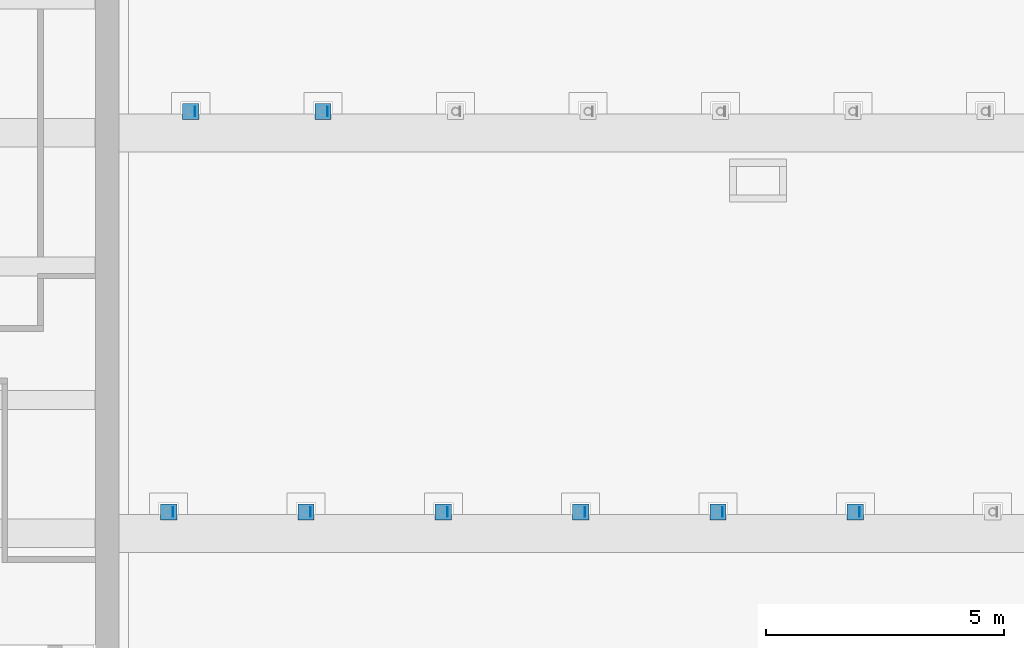
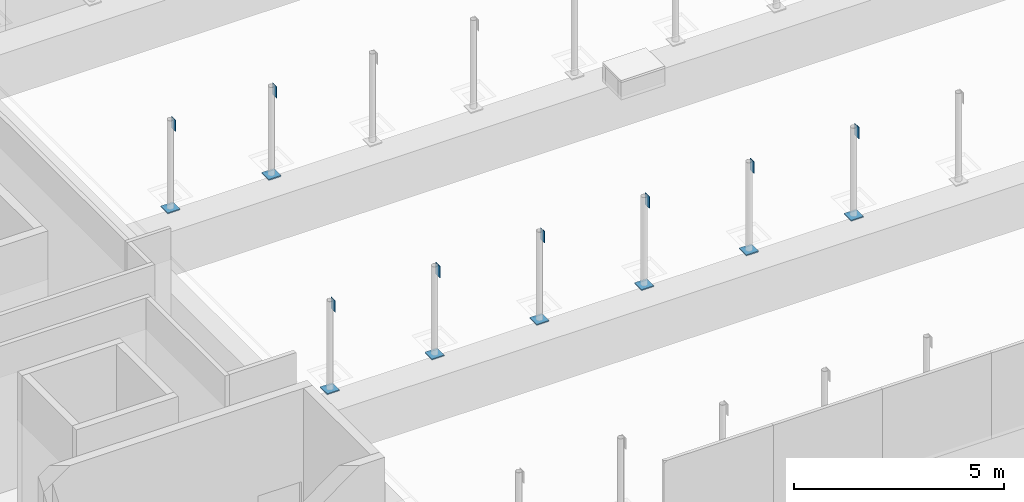
# One storey, part 36 of 47: 16 discrete accessories.
"""IFC4 building model written with IfcOpenShell, lengths in metres."""

from ifc_helpers import new_model, si_unit, direction, frame, origin, origin_2d, place, context, subcontext, project, spatial, rectangle, extrude, material, layer, layer_set, material_profile, profile_set, type_object, element, save


model = new_model("IFC4")

# Units and contexts
model_context = context("Model", 3, precision=1e-05, world=origin(), true_north=direction((0.0, 1.0)))
body_context = subcontext(model_context, "Body", "Model", "MODEL_VIEW")
ifc_project = project(units=[si_unit("LENGTHUNIT", "METRE"), si_unit("AREAUNIT", "SQUARE_METRE"), si_unit("VOLUMEUNIT", "CUBIC_METRE"), si_unit("PLANEANGLEUNIT", "RADIAN"), si_unit("MASSUNIT", "GRAM", prefix="KILO")], contexts=[model_context])

# Site, building, storey
site_placement = place(None, origin())
site = spatial("IfcSite", under=ifc_project, at=site_placement, CompositionType="ELEMENT")
building_placement = place(site_placement, origin())
building = spatial("IfcBuilding", under=site, at=building_placement, Name="Larchfold Concert Hall", CompositionType="ELEMENT")
storey_placement = place(building_placement, frame((0.0, 0.0, 24.0)))
storey = spatial("IfcBuildingStorey", under=building, at=storey_placement, Name="L05", CompositionType="ELEMENT", Elevation=24.0)

# Discrete accessories
ifc_material_1 = material(Name="Steel S355 galvanised bracket", Category="steel")
ifc_material_profile = material_profile(ifc_material_1, rectangle(XDim=0.011962890625, YDim=0.199951171875, at=origin_2d()))
ifc_profile_set = profile_set([ifc_material_profile], Name="Steel S355 galvanised bracket")
discrete_accessory_type_1 = type_object("IfcDiscreteAccessoryType", Name="Gusset plate 12x200", PredefinedType="BRACKET", material=ifc_profile_set)
for number, where, z_axis, x_axis, name in (
    (1, (29.727783203125, 85.050048828125, 4.3134765625), (0.0, 0.0, 1.0), (1.0, 0.0, 0.0), "Gusset plate GP0093"),
    (2, (32.6083984375, 85.050048828125, 4.30859375), (0.0, 0.0, 1.0), (1.0, 0.0, 0.0), "Gusset plate GP0094"),
    (3, (35.48876953125, 85.050048828125, 4.30859375), (0.0, 0.0, 1.0), (1.0, 0.0, 0.0), "Gusset plate GP0095"),
    (4, (38.369384765625, 85.050048828125, 4.3134765625), (0.0, 0.0, 1.0), (1.0, 0.0, 0.0), "Gusset plate GP0096"),
    (5, (41.25, 85.050048828125, 4.3134765625), (0.0, 0.0, 1.0), (1.0, 0.0, 0.0), "Gusset plate GP0097"),
    (6, (44.13037109375, 85.050048828125, 4.3134765625), (0.0, 0.0, 1.0), (1.0, 0.0, 0.0), "Gusset plate GP0098"),
    (7, (30.189453125, 93.4501953125, 4.30859375), (0.0, 0.0, 1.0), (1.0, 0.0, 0.0), "Gusset plate GP0103"),
    (8, (32.96728515625, 93.4501953125, 4.30859375), (0.0, 0.0, 1.0), (1.0, 0.0, 0.0), "Gusset plate GP0104"),
):
    element("IfcDiscreteAccessory", number, at=place(storey_placement, frame(where, z_axis=z_axis, x_axis=x_axis)), inside=storey, type_object=discrete_accessory_type_1, Name=name, PredefinedType="BRACKET", context=body_context, shape_type="SweptSolid", body=[
        extrude(rectangle(XDim=0.011962890625, YDim=0.199951171875, at=origin_2d()), origin(), (0.0, 0.0, 1.0), 0.336669921875),
    ])
ifc_material_2 = material(Name="Steel S355 galvanised bracket", Category="steel")
ifc_layer = layer(ifc_material_2, 0.030029296875)
ifc_layer_set = layer_set([ifc_layer], Name="Steel S355 galvanised bracket")
discrete_accessory_type_2 = type_object("IfcDiscreteAccessoryType", Name="Post base plate 340x340x30", PredefinedType="BRACKET", material=ifc_layer_set)
for number, where, z_axis, x_axis, name in (
    (9, (29.6376953125, 85.050048828125, 2.0498046875), (0.0, 0.0, 1.0), (1.0, 0.0, 0.0), "Post base plate BP021"),
    (10, (32.518310546875, 85.050048828125, 2.0498046875), (0.0, 0.0, 1.0), (1.0, 0.0, 0.0), "Post base plate BP022"),
    (11, (35.398681640625, 85.050048828125, 2.0498046875), (0.0, 0.0, 1.0), (1.0, 0.0, 0.0), "Post base plate BP023"),
    (12, (38.279296875, 85.050048828125, 2.0498046875), (0.0, 0.0, 1.0), (1.0, 0.0, 0.0), "Post base plate BP024"),
    (13, (41.159912109375, 85.050048828125, 2.0498046875), (0.0, 0.0, 1.0), (1.0, 0.0, 0.0), "Post base plate BP025"),
    (14, (44.040283203125, 85.050048828125, 2.0498046875), (0.0, 0.0, 1.0), (1.0, 0.0, 0.0), "Post base plate BP026"),
    (15, (30.099365234375, 93.4501953125, 2.0498046875), (0.0, 0.0, 1.0), (1.0, 0.0, 0.0), "Post base plate BP031"),
    (16, (32.877197265625, 93.4501953125, 2.0498046875), (0.0, 0.0, 1.0), (1.0, 0.0, 0.0), "Post base plate BP032"),
):
    element("IfcDiscreteAccessory", number, at=place(storey_placement, frame(where, z_axis=z_axis, x_axis=x_axis)), inside=storey, type_object=discrete_accessory_type_2, Name=name, PredefinedType="BRACKET", context=body_context, shape_type="SweptSolid", body=[
        extrude(rectangle(XDim=0.340087890625, YDim=0.340087890625, at=origin_2d()), origin(), (0.0, 0.0, 1.0), 0.030029296875),
    ])

save(model, "model.ifc")
